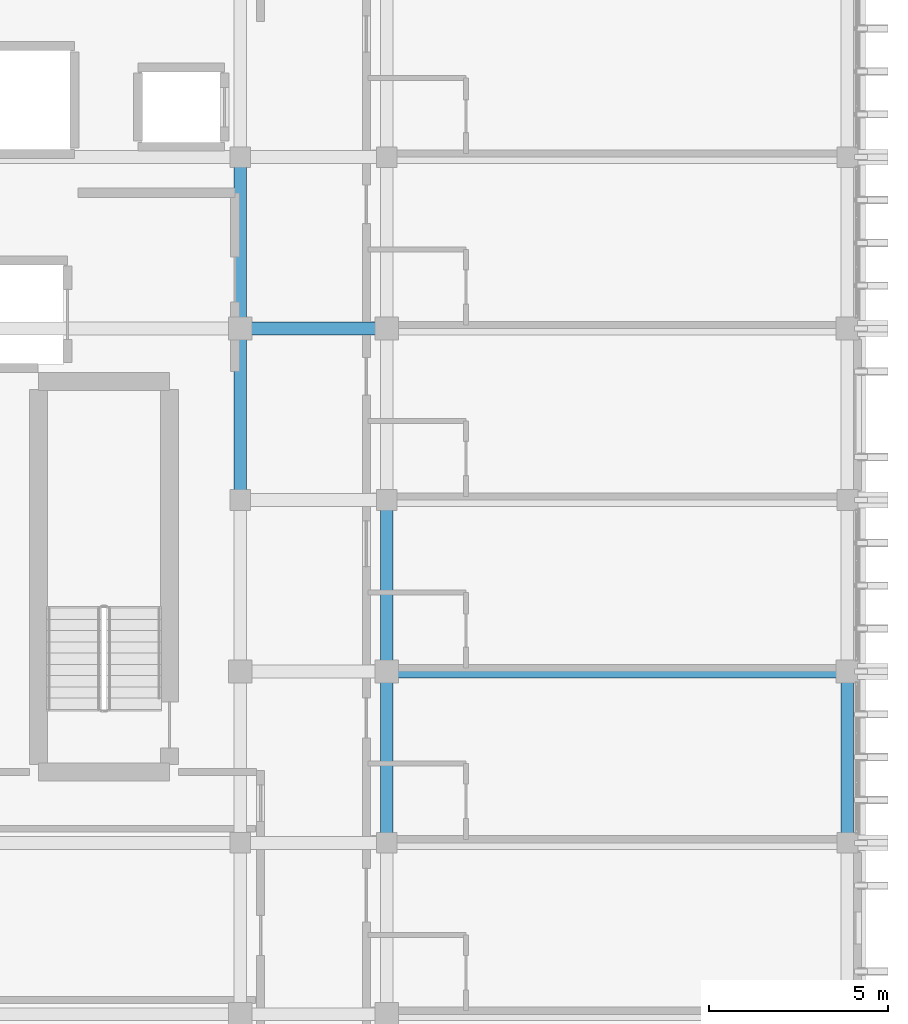
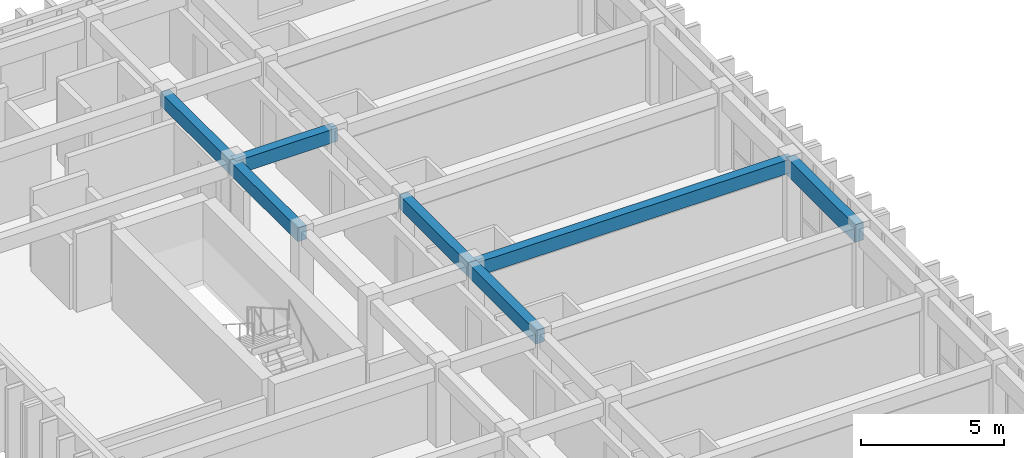
# One storey, part 30 of 49: 7 beams.
"""IFC4 building model written with IfcOpenShell, lengths in metres."""

import ifcopenshell
import ifcopenshell.guid

model = None  # the IFC model being written
_history = None  # IfcOwnerHistory: only IFC2X3 demands one
_inside = {}  # id of a spatial element -> (the spatial element, [elements in it])
_under = {}  # id of a project, library or spatial element -> (it, [spatial elements below it])
_declared = {}  # id of a project -> (the project, [libraries it declares])
_typed = {}  # id of a type object -> (the type object, [elements of that type])
_made_of = {}  # id of a material, layer set ... -> (it, [elements and type objects made of it])


def new_model(schema):
    """Start an empty IFC model of exactly this schema.

    Asked for "IFC4X3", IfcOpenShell would pick the latest addendum, in which some entities
    have other attributes; the version numbers below select the first issue.
    IFC2X3 requires an IfcOwnerHistory on every rooted entity: one is made here for all.
    """
    global model, _history
    if schema == "IFC4X3":
        model = ifcopenshell.file(schema_version=(4, 3, 0, 0))
    else:
        model = ifcopenshell.file(schema=schema)
    _inside.clear()
    _under.clear()
    _declared.clear()
    _typed.clear()
    _made_of.clear()
    _history = None
    if model.schema == "IFC2X3":
        org = make("IfcOrganization", Name="unknown")
        user = make(
            "IfcPersonAndOrganization",
            ThePerson=make("IfcPerson", FamilyName="unknown"),
            TheOrganization=org,
        )
        app = make(
            "IfcApplication",
            ApplicationDeveloper=org,
            Version="unknown",
            ApplicationFullName="unknown",
            ApplicationIdentifier="unknown",
        )
        _history = make(
            "IfcOwnerHistory",
            OwningUser=user,
            OwningApplication=app,
            ChangeAction="ADDED",
            CreationDate=0,
        )
    return model


def make(cls, **values):
    """One entity of the class cls with the attributes given. An attribute that is None is left unset."""
    return model.create_entity(
        cls, **{name: value for name, value in values.items() if value is not None}
    )


def rooted(cls, **values):
    """An entity with a GlobalId (a new one), such as an element, a storey or a relation."""
    return make(cls, GlobalId=ifcopenshell.guid.new(), OwnerHistory=_history, **values)


def si_unit(unit_type, name, prefix=None):
    """IfcSIUnit, for example si_unit("LENGTHUNIT", "METRE", prefix="MILLI")."""
    return make("IfcSIUnit", UnitType=unit_type, Prefix=prefix, Name=name)


def assignment(units):
    """IfcUnitAssignment: the units of a project."""
    return None if units is None else make("IfcUnitAssignment", Units=units)


def point(xyz):
    """IfcCartesianPoint."""
    return None if xyz is None else make("IfcCartesianPoint", Coordinates=xyz)


def direction(xyz):
    """IfcDirection."""
    return None if xyz is None else make("IfcDirection", DirectionRatios=xyz)


def frame(location, z_axis=None, x_axis=None):
    """IfcAxis2Placement3D, a coordinate frame: its origin and axes. An axis left out is left unset."""
    return make(
        "IfcAxis2Placement3D",
        Location=point(location),
        Axis=direction(z_axis),
        RefDirection=direction(x_axis),
    )


def frame_2d(location, x_axis=None):
    """IfcAxis2Placement2D, a coordinate frame in the plane: its origin and x axis."""
    return make(
        "IfcAxis2Placement2D", Location=point(location), RefDirection=direction(x_axis)
    )


def origin():
    """The frame at (0, 0, 0) with its axes left unset."""
    return frame((0.0, 0.0, 0.0))


def origin_2d():
    """The frame at (0, 0) in the plane with its x axis left unset."""
    return frame_2d((0.0, 0.0))


def place(relative_to, where):
    """IfcLocalPlacement: puts the frame where relative to a parent placement (None: the world)."""
    return make(
        "IfcLocalPlacement", PlacementRelTo=relative_to, RelativePlacement=where
    )


def context(
    kind, dimensions, precision=None, world=None, true_north=None, identifier=None
):
    """IfcGeometricRepresentationContext, for example the 3D "Model" context."""
    return make(
        "IfcGeometricRepresentationContext",
        ContextIdentifier=identifier,
        ContextType=kind,
        CoordinateSpaceDimension=dimensions,
        Precision=precision,
        WorldCoordinateSystem=world,
        TrueNorth=true_north,
    )


def subcontext(parent, identifier, kind, view, scale=None):
    """IfcGeometricRepresentationSubContext, for example "Body" below "Model"."""
    return make(
        "IfcGeometricRepresentationSubContext",
        ContextIdentifier=identifier,
        ContextType=kind,
        ParentContext=parent,
        TargetScale=scale,
        TargetView=view,
    )


def project(units=None, contexts=None):
    """IfcProject with its units and contexts."""
    return rooted(
        "IfcProject",
        Name="project",
        RepresentationContexts=contexts,
        UnitsInContext=assignment(units),
    )


def spatial(cls, under=None, at=None, **own):
    """A site, building, storey or space (cls), placed at a placement, below another one or the project."""
    s = rooted(cls, ObjectPlacement=at, **own)
    if under is not None:
        _under.setdefault(under.id(), (under, []))[1].append(s)
    return s


def profile(cls, at=None, kind="AREA", **sizes):
    """A parametric profile (cls). Its sizes go by their IFC names, for example OverallWidth=200.0."""
    return make(cls, ProfileType=kind, Position=at, **sizes)


def rectangle(**sizes):
    """IfcRectangleProfileDef."""
    return profile("IfcRectangleProfileDef", **sizes)


def extrude(swept, where, along, depth):
    """IfcExtrudedAreaSolid: the profile swept, set in the frame where, extruded along a direction by depth."""
    return make(
        "IfcExtrudedAreaSolid",
        SweptArea=swept,
        Position=where,
        ExtrudedDirection=direction(along),
        Depth=depth,
    )


def shape(context_of_items, identifier, shape_type, items):
    """IfcShapeRepresentation: the items that make up one representation, for example the "Body"."""
    return make(
        "IfcShapeRepresentation",
        ContextOfItems=context_of_items,
        RepresentationIdentifier=identifier,
        RepresentationType=shape_type,
        Items=items,
    )


def material(Name=None, Category=None):
    """IfcMaterial."""
    return make("IfcMaterial", Name=Name, Category=Category)


def material_profile(
    of_material, cross_section, Name=None, Category=None, Priority=None
):
    """IfcMaterialProfile: a cross section and its material."""
    return make(
        "IfcMaterialProfile",
        Name=Name,
        Material=of_material,
        Profile=cross_section,
        Priority=Priority,
        Category=Category,
    )


def profile_set(profiles, Name=None, composite=None):
    """IfcMaterialProfileSet."""
    return make(
        "IfcMaterialProfileSet",
        Name=Name,
        MaterialProfiles=profiles,
        CompositeProfile=composite,
    )


def made_of(thing, what):
    """Note that an element or type object is made of a material, layer set ...; save() writes the relation."""
    if what is not None:
        _made_of.setdefault(what.id(), (what, []))[1].append(thing)
    return thing


def type_object(cls, material=None, **own):
    """A type object (cls), such as IfcWallType, which elements share."""
    return made_of(rooted(cls, **own), material)


def element(
    cls,
    number,
    at=None,
    inside=None,
    cuts=None,
    type_object=None,
    material=None,
    context=None,
    identifier="Body",
    shape_type=None,
    held_by="IfcProductDefinitionShape",
    body=None,
    shapes=None,
    **own,
):
    """One element of the class cls, such as IfcWall. Its Tag is "e" and its number.

    at: its placement. inside: the storey or other place that contains it. cuts: it is an
    opening in that element (IfcRelVoidsElement). A single representation is given by context,
    identifier, shape_type and body (its items); several are given by shapes. held_by: the class
    of the entity that holds the representations. save() writes the other relations.
    """
    e = rooted(cls, Tag="e%d" % number, ObjectPlacement=at, **own)
    if body is not None:
        shapes = [shape(context, identifier, shape_type, body)]
    if shapes is not None:
        e.Representation = make(held_by, Representations=shapes)
    if inside is not None:
        _inside.setdefault(inside.id(), (inside, []))[1].append(e)
    if cuts is not None:
        rooted(
            "IfcRelVoidsElement", RelatingBuildingElement=cuts, RelatedOpeningElement=e
        )
    if type_object is not None:
        _typed.setdefault(type_object.id(), (type_object, []))[1].append(e)
    return made_of(e, material)


def aggregate(whole, parts):
    """IfcRelAggregates: a whole, such as a stair, and the parts it consists of."""
    return rooted("IfcRelAggregates", RelatingObject=whole, RelatedObjects=parts)


def save(model, path):
    """Write the relations noted so far, then the file.

    IfcRelAggregates (storeys below a building ...), IfcRelContainedInSpatialStructure (elements
    in a storey), IfcRelDefinesByType, IfcRelAssociatesMaterial and IfcRelDeclares: one each for
    every whole, place, type object, material and project.
    """
    for whole, parts in _under.values():
        aggregate(whole, parts)
    for where, things in _inside.values():
        rooted(
            "IfcRelContainedInSpatialStructure",
            RelatedElements=things,
            RelatingStructure=where,
        )
    for kind, things in _typed.values():
        rooted("IfcRelDefinesByType", RelatedObjects=things, RelatingType=kind)
    for what, things in _made_of.values():
        rooted("IfcRelAssociatesMaterial", RelatedObjects=things, RelatingMaterial=what)
    for by, libraries in _declared.values():
        rooted("IfcRelDeclares", RelatingContext=by, RelatedDefinitions=libraries)
    model.write(path)


model = new_model("IFC4")

# Units and contexts
model_context = context("Model", 3, precision=1e-05, world=origin(), true_north=direction((0.0, 1.0)))
body_context = subcontext(model_context, "Body", "Model", "MODEL_VIEW")
ifc_project = project(units=[si_unit("LENGTHUNIT", "METRE"), si_unit("AREAUNIT", "SQUARE_METRE"), si_unit("VOLUMEUNIT", "CUBIC_METRE"), si_unit("PLANEANGLEUNIT", "RADIAN"), si_unit("MASSUNIT", "GRAM", prefix="KILO")], contexts=[model_context])

# Site, building, storey
site_placement = place(None, origin())
site = spatial("IfcSite", under=ifc_project, at=site_placement, CompositionType="ELEMENT")
building_placement = place(site_placement, origin())
building = spatial("IfcBuilding", under=site, at=building_placement, Name="Nakhvara Creek Congress Hotel", CompositionType="ELEMENT")
storey_placement = place(building_placement, frame((0.0, 0.0, 39.0)))
storey = spatial("IfcBuildingStorey", under=building, at=storey_placement, Name="L09", CompositionType="ELEMENT", Elevation=39.0)

# Beams
ifc_material = material(Name="Concrete C40/50", Category="concrete")
ifc_material_profile_1 = material_profile(ifc_material, rectangle(XDim=0.360107421875, YDim=0.580078125, at=origin_2d()), Name="RC-BM 360x580", Category="LoadBearing")
ifc_profile_set_1 = profile_set([ifc_material_profile_1], Name="Concrete C40/50")
beam_type_1 = type_object("IfcBeamType", Name="BM-RC-360X580", PredefinedType="BEAM", material=ifc_profile_set_1)
beam_1_placement = place(storey_placement, frame((162.35009765625, 115.199951171875, 3.070068359375), z_axis=(1.0, 0.0, 0.0), x_axis=(0.0, 1.0, 0.0)))
element("IfcBeam", 1, at=beam_1_placement, inside=storey, type_object=beam_type_1, Name="Beam B09-L09-2570", PredefinedType="BEAM", context=body_context, shape_type="SweptSolid", body=[
    extrude(rectangle(XDim=0.360107421875, YDim=0.580078125, at=origin_2d()), origin(), (0.0, 0.0, 1.0), 4.099853515625),
])
for number, where, z_axis, x_axis, name in (
    (2, (162.35009765625, 110.39990234375, 3.070068359375), (0.0, 1.0, 0.0), (-1.0, 0.0, 0.0), "Beam B09-L09-2571"),
    (3, (162.35009765625, 115.199951171875, 3.070068359375), (0.0, 1.0, 0.0), (-1.0, 0.0, 0.0), "Beam B09-L09-2572"),
):
    element("IfcBeam", number, at=place(storey_placement, frame(where, z_axis=z_axis, x_axis=x_axis)), inside=storey, type_object=beam_type_1, Name=name, PredefinedType="BEAM", context=body_context, shape_type="SweptSolid", body=[
        extrude(rectangle(XDim=0.360107421875, YDim=0.580078125, at=origin_2d()), origin(), (0.0, 0.0, 1.0), 4.800048828125),
    ])
beam_2_placement = place(storey_placement, frame((166.449951171875, 105.60009765625, 3.070068359375), z_axis=(1.0, 0.0, 0.0), x_axis=(0.0, 1.0, 0.0)))
element("IfcBeam", 4, at=beam_2_placement, inside=storey, type_object=beam_type_1, Name="Beam B09-L09-2589", PredefinedType="BEAM", context=body_context, shape_type="SweptSolid", body=[
    extrude(rectangle(XDim=0.360107421875, YDim=0.580078125, at=origin_2d()), origin(), (0.0, 0.0, 1.0), 12.900146484375),
])
beam_3_placement = place(storey_placement, frame((166.449951171875, 100.800048828125, 3.070068359375), z_axis=(0.0, 1.0, 0.0), x_axis=(-1.0, 0.0, 0.0)))
element("IfcBeam", 5, at=beam_3_placement, inside=storey, type_object=beam_type_1, Name="Beam B09-L09-2590", PredefinedType="BEAM", context=body_context, shape_type="SweptSolid", body=[
    extrude(rectangle(XDim=0.360107421875, YDim=0.580078125, at=origin_2d()), origin(), (0.0, 0.0, 1.0), 4.800048828125),
])
beam_4_placement = place(storey_placement, frame((166.449951171875, 105.60009765625, 3.070068359375), z_axis=(0.0, 1.0, 0.0), x_axis=(-1.0, 0.0, 0.0)))
element("IfcBeam", 6, at=beam_4_placement, inside=storey, type_object=beam_type_1, Name="Beam B09-L09-2591", PredefinedType="BEAM", context=body_context, shape_type="SweptSolid", body=[
    extrude(rectangle(XDim=0.360107421875, YDim=0.580078125, at=origin_2d()), origin(), (0.0, 0.0, 1.0), 4.7998046875),
])
ifc_material_profile_2 = material_profile(ifc_material, rectangle(XDim=0.35009765625, YDim=0.75, at=origin_2d()), Name="RC-SPANDREL 350x750", Category="LoadBearing")
ifc_profile_set_2 = profile_set([ifc_material_profile_2], Name="Concrete C40/50")
beam_type_2 = type_object("IfcBeamType", Name="BM-SPN-350X750", PredefinedType="SPANDREL", material=ifc_profile_set_2)
beam_5_placement = place(storey_placement, frame((179.35009765625, 100.800048828125, 2.985107421875), z_axis=(0.0, 1.0, 0.0), x_axis=(-1.0, 0.0, 0.0)))
element("IfcBeam", 7, at=beam_5_placement, inside=storey, type_object=beam_type_2, Name="Beam SP1-L09-2606", PredefinedType="SPANDREL", context=body_context, shape_type="SweptSolid", body=[
    extrude(rectangle(XDim=0.35009765625, YDim=0.75, at=origin_2d()), origin(), (0.0, 0.0, 1.0), 4.800048828125),
])

save(model, "model.ifc")
